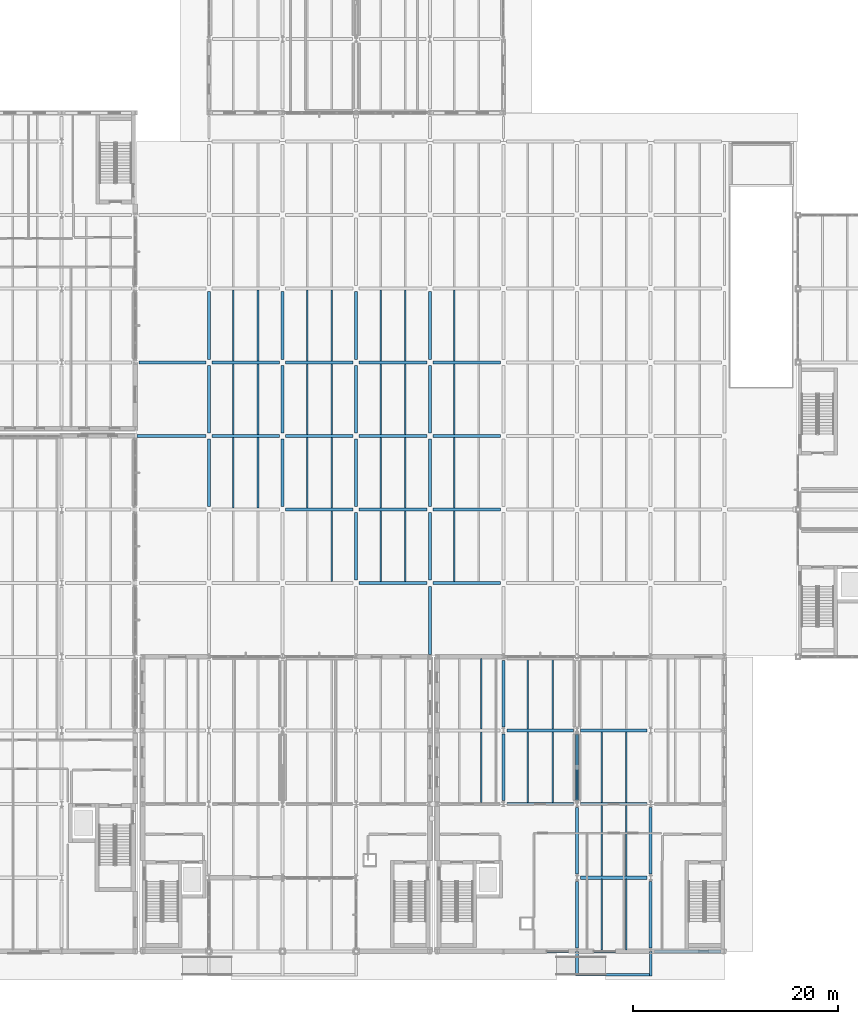
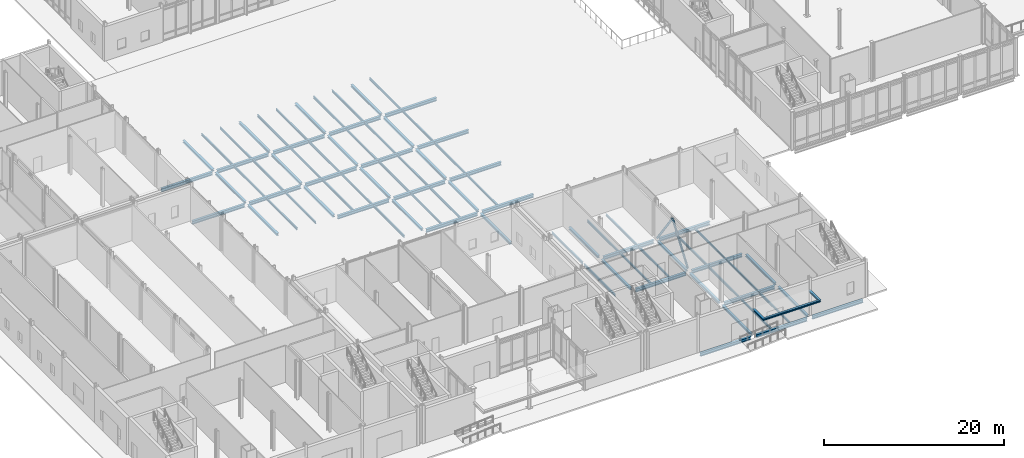
# One storey, part 21 of 89: 85 beams, 2 members.
"""IFC4 building model written with IfcOpenShell, lengths in metres."""

import ifcopenshell
import ifcopenshell.guid

model = None  # the IFC model being written
_history = None  # IfcOwnerHistory: only IFC2X3 demands one
_inside = {}  # id of a spatial element -> (the spatial element, [elements in it])
_under = {}  # id of a project, library or spatial element -> (it, [spatial elements below it])
_declared = {}  # id of a project -> (the project, [libraries it declares])
_typed = {}  # id of a type object -> (the type object, [elements of that type])
_made_of = {}  # id of a material, layer set ... -> (it, [elements and type objects made of it])


def new_model(schema):
    """Start an empty IFC model of exactly this schema.

    Asked for "IFC4X3", IfcOpenShell would pick the latest addendum, in which some entities
    have other attributes; the version numbers below select the first issue.
    IFC2X3 requires an IfcOwnerHistory on every rooted entity: one is made here for all.
    """
    global model, _history
    if schema == "IFC4X3":
        model = ifcopenshell.file(schema_version=(4, 3, 0, 0))
    else:
        model = ifcopenshell.file(schema=schema)
    _inside.clear()
    _under.clear()
    _declared.clear()
    _typed.clear()
    _made_of.clear()
    _history = None
    if model.schema == "IFC2X3":
        org = make("IfcOrganization", Name="unknown")
        user = make(
            "IfcPersonAndOrganization",
            ThePerson=make("IfcPerson", FamilyName="unknown"),
            TheOrganization=org,
        )
        app = make(
            "IfcApplication",
            ApplicationDeveloper=org,
            Version="unknown",
            ApplicationFullName="unknown",
            ApplicationIdentifier="unknown",
        )
        _history = make(
            "IfcOwnerHistory",
            OwningUser=user,
            OwningApplication=app,
            ChangeAction="ADDED",
            CreationDate=0,
        )
    return model


def make(cls, **values):
    """One entity of the class cls with the attributes given. An attribute that is None is left unset."""
    return model.create_entity(
        cls, **{name: value for name, value in values.items() if value is not None}
    )


def rooted(cls, **values):
    """An entity with a GlobalId (a new one), such as an element, a storey or a relation."""
    return make(cls, GlobalId=ifcopenshell.guid.new(), OwnerHistory=_history, **values)


def si_unit(unit_type, name, prefix=None):
    """IfcSIUnit, for example si_unit("LENGTHUNIT", "METRE", prefix="MILLI")."""
    return make("IfcSIUnit", UnitType=unit_type, Prefix=prefix, Name=name)


def assignment(units):
    """IfcUnitAssignment: the units of a project."""
    return None if units is None else make("IfcUnitAssignment", Units=units)


def point(xyz):
    """IfcCartesianPoint."""
    return None if xyz is None else make("IfcCartesianPoint", Coordinates=xyz)


def direction(xyz):
    """IfcDirection."""
    return None if xyz is None else make("IfcDirection", DirectionRatios=xyz)


def frame(location, z_axis=None, x_axis=None):
    """IfcAxis2Placement3D, a coordinate frame: its origin and axes. An axis left out is left unset."""
    return make(
        "IfcAxis2Placement3D",
        Location=point(location),
        Axis=direction(z_axis),
        RefDirection=direction(x_axis),
    )


def frame_2d(location, x_axis=None):
    """IfcAxis2Placement2D, a coordinate frame in the plane: its origin and x axis."""
    return make(
        "IfcAxis2Placement2D", Location=point(location), RefDirection=direction(x_axis)
    )


def origin():
    """The frame at (0, 0, 0) with its axes left unset."""
    return frame((0.0, 0.0, 0.0))


def origin_2d():
    """The frame at (0, 0) in the plane with its x axis left unset."""
    return frame_2d((0.0, 0.0))


def place(relative_to, where):
    """IfcLocalPlacement: puts the frame where relative to a parent placement (None: the world)."""
    return make(
        "IfcLocalPlacement", PlacementRelTo=relative_to, RelativePlacement=where
    )


def context(
    kind, dimensions, precision=None, world=None, true_north=None, identifier=None
):
    """IfcGeometricRepresentationContext, for example the 3D "Model" context."""
    return make(
        "IfcGeometricRepresentationContext",
        ContextIdentifier=identifier,
        ContextType=kind,
        CoordinateSpaceDimension=dimensions,
        Precision=precision,
        WorldCoordinateSystem=world,
        TrueNorth=true_north,
    )


def subcontext(parent, identifier, kind, view, scale=None):
    """IfcGeometricRepresentationSubContext, for example "Body" below "Model"."""
    return make(
        "IfcGeometricRepresentationSubContext",
        ContextIdentifier=identifier,
        ContextType=kind,
        ParentContext=parent,
        TargetScale=scale,
        TargetView=view,
    )


def project(units=None, contexts=None):
    """IfcProject with its units and contexts."""
    return rooted(
        "IfcProject",
        Name="project",
        RepresentationContexts=contexts,
        UnitsInContext=assignment(units),
    )


def spatial(cls, under=None, at=None, **own):
    """A site, building, storey or space (cls), placed at a placement, below another one or the project."""
    s = rooted(cls, ObjectPlacement=at, **own)
    if under is not None:
        _under.setdefault(under.id(), (under, []))[1].append(s)
    return s


def profile(cls, at=None, kind="AREA", **sizes):
    """A parametric profile (cls). Its sizes go by their IFC names, for example OverallWidth=200.0."""
    return make(cls, ProfileType=kind, Position=at, **sizes)


def hollow_circle(**sizes):
    """IfcCircleHollowProfileDef."""
    return profile("IfcCircleHollowProfileDef", **sizes)


def i_section(**sizes):
    """IfcIShapeProfileDef."""
    return profile("IfcIShapeProfileDef", **sizes)


def extrude(swept, where, along, depth):
    """IfcExtrudedAreaSolid: the profile swept, set in the frame where, extruded along a direction by depth."""
    return make(
        "IfcExtrudedAreaSolid",
        SweptArea=swept,
        Position=where,
        ExtrudedDirection=direction(along),
        Depth=depth,
    )


def shape(context_of_items, identifier, shape_type, items):
    """IfcShapeRepresentation: the items that make up one representation, for example the "Body"."""
    return make(
        "IfcShapeRepresentation",
        ContextOfItems=context_of_items,
        RepresentationIdentifier=identifier,
        RepresentationType=shape_type,
        Items=items,
    )


def material(Name=None, Category=None):
    """IfcMaterial."""
    return make("IfcMaterial", Name=Name, Category=Category)


def material_profile(
    of_material, cross_section, Name=None, Category=None, Priority=None
):
    """IfcMaterialProfile: a cross section and its material."""
    return make(
        "IfcMaterialProfile",
        Name=Name,
        Material=of_material,
        Profile=cross_section,
        Priority=Priority,
        Category=Category,
    )


def profile_set(profiles, Name=None, composite=None):
    """IfcMaterialProfileSet."""
    return make(
        "IfcMaterialProfileSet",
        Name=Name,
        MaterialProfiles=profiles,
        CompositeProfile=composite,
    )


def made_of(thing, what):
    """Note that an element or type object is made of a material, layer set ...; save() writes the relation."""
    if what is not None:
        _made_of.setdefault(what.id(), (what, []))[1].append(thing)
    return thing


def type_object(cls, material=None, **own):
    """A type object (cls), such as IfcWallType, which elements share."""
    return made_of(rooted(cls, **own), material)


def element(
    cls,
    number,
    at=None,
    inside=None,
    cuts=None,
    type_object=None,
    material=None,
    context=None,
    identifier="Body",
    shape_type=None,
    held_by="IfcProductDefinitionShape",
    body=None,
    shapes=None,
    **own,
):
    """One element of the class cls, such as IfcWall. Its Tag is "e" and its number.

    at: its placement. inside: the storey or other place that contains it. cuts: it is an
    opening in that element (IfcRelVoidsElement). A single representation is given by context,
    identifier, shape_type and body (its items); several are given by shapes. held_by: the class
    of the entity that holds the representations. save() writes the other relations.
    """
    e = rooted(cls, Tag="e%d" % number, ObjectPlacement=at, **own)
    if body is not None:
        shapes = [shape(context, identifier, shape_type, body)]
    if shapes is not None:
        e.Representation = make(held_by, Representations=shapes)
    if inside is not None:
        _inside.setdefault(inside.id(), (inside, []))[1].append(e)
    if cuts is not None:
        rooted(
            "IfcRelVoidsElement", RelatingBuildingElement=cuts, RelatedOpeningElement=e
        )
    if type_object is not None:
        _typed.setdefault(type_object.id(), (type_object, []))[1].append(e)
    return made_of(e, material)


def aggregate(whole, parts):
    """IfcRelAggregates: a whole, such as a stair, and the parts it consists of."""
    return rooted("IfcRelAggregates", RelatingObject=whole, RelatedObjects=parts)


def save(model, path):
    """Write the relations noted so far, then the file.

    IfcRelAggregates (storeys below a building ...), IfcRelContainedInSpatialStructure (elements
    in a storey), IfcRelDefinesByType, IfcRelAssociatesMaterial and IfcRelDeclares: one each for
    every whole, place, type object, material and project.
    """
    for whole, parts in _under.values():
        aggregate(whole, parts)
    for where, things in _inside.values():
        rooted(
            "IfcRelContainedInSpatialStructure",
            RelatedElements=things,
            RelatingStructure=where,
        )
    for kind, things in _typed.values():
        rooted("IfcRelDefinesByType", RelatedObjects=things, RelatingType=kind)
    for what, things in _made_of.values():
        rooted("IfcRelAssociatesMaterial", RelatedObjects=things, RelatingMaterial=what)
    for by, libraries in _declared.values():
        rooted("IfcRelDeclares", RelatingContext=by, RelatedDefinitions=libraries)
    model.write(path)


model = new_model("IFC4")

# Units and contexts
model_context = context("Model", 3, precision=1e-05, world=origin(), true_north=direction((0.0, 1.0)))
body_context = subcontext(model_context, "Body", "Model", "MODEL_VIEW")
ifc_project = project(units=[si_unit("LENGTHUNIT", "METRE"), si_unit("AREAUNIT", "SQUARE_METRE"), si_unit("VOLUMEUNIT", "CUBIC_METRE"), si_unit("PLANEANGLEUNIT", "RADIAN"), si_unit("MASSUNIT", "GRAM", prefix="KILO")], contexts=[model_context])

# Site, building, storey
site_placement = place(None, origin())
site = spatial("IfcSite", under=ifc_project, at=site_placement, CompositionType="ELEMENT")
building_placement = place(site_placement, origin())
building = spatial("IfcBuilding", under=site, at=building_placement, Name="Zarrinpeak Specialist Clinic", CompositionType="ELEMENT")
storey_placement = place(building_placement, origin())
storey = spatial("IfcBuildingStorey", under=building, at=storey_placement, Name="L00", CompositionType="ELEMENT", Elevation=0.0)

# Beams
ifc_material = material(Name="Steel S355", Category="steel")
ifc_material_profile_1 = material_profile(ifc_material, i_section(OverallWidth=0.260009765625, OverallDepth=0.25, WebThickness=0.007568359375, FlangeThickness=0.012451171875, FilletRadius=0.02392578125, at=origin_2d()), Name="HEA 260")
ifc_profile_set_1 = profile_set([ifc_material_profile_1], Name="Steel S355")
beam_type_1 = type_object("IfcBeamType", Name="BM-HEA260", PredefinedType="BEAM", material=ifc_profile_set_1)
for number, where, z_axis, x_axis, name in (
    (1, (72.0, 0.0, 3.27490234375), (0.0, -1.0, 0.0), (1.0, 0.0, 0.0), "V4 Day Procedure Entrance Canopy Cantilever Bracket Beam 09"),
    (2, (79.199951171875, 0.0, 3.27490234375), (0.0, -1.0, 0.0), (1.0, 0.0, 0.0), "V4 Day Procedure Entrance Canopy Cantilever Bracket Beam 10"),
):
    element("IfcBeam", number, at=place(storey_placement, frame(where, z_axis=z_axis, x_axis=x_axis)), inside=storey, type_object=beam_type_1, Name=name, PredefinedType="BEAM", context=body_context, shape_type="SweptSolid", body=[
        extrude(i_section(OverallWidth=0.260009765625, OverallDepth=0.25, WebThickness=0.007568359375, FlangeThickness=0.012451171875, FilletRadius=0.02392578125, at=origin_2d()), origin(), (0.0, 0.0, 1.0), 2.39990234375),
    ])
beam_1_placement = place(storey_placement, frame((72.1298828125, -2.27001953125, 3.27490234375), z_axis=(1.0, 0.0, 0.0), x_axis=(0.0, 1.0, 0.0)))
element("IfcBeam", 3, at=beam_1_placement, inside=storey, type_object=beam_type_1, Name="V4 Day Procedure Entrance Canopy Front Edge Tie Beam 11", PredefinedType="BEAM", context=body_context, shape_type="SweptSolid", body=[
    extrude(i_section(OverallWidth=0.260009765625, OverallDepth=0.25, WebThickness=0.007568359375, FlangeThickness=0.012451171875, FilletRadius=0.02392578125, at=origin_2d()), origin(), (0.0, 0.0, 1.0), 6.940185546875),
])
ifc_material_profile_2 = material_profile(ifc_material, i_section(OverallWidth=0.300048828125, OverallDepth=0.2900390625, WebThickness=0.008544921875, FlangeThickness=0.013916015625, FilletRadius=0.027099609375, at=origin_2d()), Name="HEA 300")
ifc_profile_set_2 = profile_set([ifc_material_profile_2], Name="Steel S355")
beam_type_2 = type_object("IfcBeamType", Name="BM-HEA300", PredefinedType="BEAM", material=ifc_profile_set_2)
for number, where, z_axis, x_axis, name in (
    (4, (36.0, 43.498046875, -0.364990234375), (0.0, 1.0, 0.0), (-1.0, 0.0, 0.0), "L00 Primary Beam BM-L00-Y0269"),
    (5, (36.0, 50.697998046875, -0.364990234375), (0.0, 1.0, 0.0), (-1.0, 0.0, 0.0), "L00 Primary Beam BM-L00-Y0270"),
    (6, (36.0, 57.89794921875, -0.364990234375), (0.0, 1.0, 0.0), (-1.0, 0.0, 0.0), "L00 Primary Beam BM-L00-Y0271"),
    (7, (43.199951171875, 43.498046875, -0.364990234375), (0.0, 1.0, 0.0), (-1.0, 0.0, 0.0), "L00 Primary Beam BM-L00-Y0284"),
    (8, (43.199951171875, 50.697998046875, -0.364990234375), (0.0, 1.0, 0.0), (-1.0, 0.0, 0.0), "L00 Primary Beam BM-L00-Y0285"),
    (9, (43.199951171875, 57.89794921875, -0.364990234375), (0.0, 1.0, 0.0), (-1.0, 0.0, 0.0), "L00 Primary Beam BM-L00-Y0286"),
    (10, (50.39990234375, 36.298095703125, -0.364990234375), (0.0, 1.0, 0.0), (-1.0, 0.0, 0.0), "L00 Primary Beam BM-L00-Y0300"),
    (11, (50.39990234375, 43.498046875, -0.364990234375), (0.0, 1.0, 0.0), (-1.0, 0.0, 0.0), "L00 Primary Beam BM-L00-Y0301"),
    (12, (50.39990234375, 50.697998046875, -0.364990234375), (0.0, 1.0, 0.0), (-1.0, 0.0, 0.0), "L00 Primary Beam BM-L00-Y0302"),
    (13, (50.39990234375, 57.89794921875, -0.364990234375), (0.0, 1.0, 0.0), (-1.0, 0.0, 0.0), "L00 Primary Beam BM-L00-Y0303"),
):
    element("IfcBeam", number, at=place(storey_placement, frame(where, z_axis=z_axis, x_axis=x_axis)), inside=storey, type_object=beam_type_2, Name=name, PredefinedType="BEAM", context=body_context, shape_type="SweptSolid", body=[
        extrude(i_section(OverallWidth=0.300048828125, OverallDepth=0.2900390625, WebThickness=0.008544921875, FlangeThickness=0.013916015625, FilletRadius=0.027099609375, at=origin_2d()), origin(), (0.0, 0.0, 1.0), 6.60400390625),
    ])
beam_2_placement = place(storey_placement, frame((57.60009765625, 29.048095703125, -0.364990234375), z_axis=(0.0, 1.0, 0.0), x_axis=(-1.0, 0.0, 0.0)))
element("IfcBeam", 14, at=beam_2_placement, inside=storey, type_object=beam_type_2, Name="L00 Primary Beam BM-L00-Y0314", PredefinedType="BEAM", context=body_context, shape_type="SweptSolid", body=[
    extrude(i_section(OverallWidth=0.300048828125, OverallDepth=0.2900390625, WebThickness=0.008544921875, FlangeThickness=0.013916015625, FilletRadius=0.027099609375, at=origin_2d()), origin(), (0.0, 0.0, 1.0), 6.65380859375),
])
for number, where, z_axis, x_axis, name in (
    (15, (57.60009765625, 36.298095703125, -0.364990234375), (0.0, 1.0, 0.0), (-1.0, 0.0, 0.0), "L00 Primary Beam BM-L00-Y0315"),
    (16, (57.60009765625, 43.498046875, -0.364990234375), (0.0, 1.0, 0.0), (-1.0, 0.0, 0.0), "L00 Primary Beam BM-L00-Y0316"),
    (17, (57.60009765625, 50.697998046875, -0.364990234375), (0.0, 1.0, 0.0), (-1.0, 0.0, 0.0), "L00 Primary Beam BM-L00-Y0317"),
    (18, (57.60009765625, 57.89794921875, -0.364990234375), (0.0, 1.0, 0.0), (-1.0, 0.0, 0.0), "L00 Primary Beam BM-L00-Y0318"),
):
    element("IfcBeam", number, at=place(storey_placement, frame(where, z_axis=z_axis, x_axis=x_axis)), inside=storey, type_object=beam_type_2, Name=name, PredefinedType="BEAM", context=body_context, shape_type="SweptSolid", body=[
        extrude(i_section(OverallWidth=0.300048828125, OverallDepth=0.2900390625, WebThickness=0.008544921875, FlangeThickness=0.013916015625, FilletRadius=0.027099609375, at=origin_2d()), origin(), (0.0, 0.0, 1.0), 6.60400390625),
    ])
for number, where, z_axis, x_axis, name in (
    (19, (64.800048828125, 14.748046875, -0.39501953125), (0.0, 1.0, 0.0), (-1.0, 0.0, 0.0), "L00 Primary Beam BM-L00-Y0329"),
    (20, (64.800048828125, 21.947998046875, -0.39501953125), (0.0, 1.0, 0.0), (-1.0, 0.0, 0.0), "L00 Primary Beam BM-L00-Y0330"),
):
    element("IfcBeam", number, at=place(storey_placement, frame(where, z_axis=z_axis, x_axis=x_axis)), inside=storey, type_object=beam_type_2, Name=name, PredefinedType="BEAM", context=body_context, shape_type="SweptSolid", body=[
        extrude(i_section(OverallWidth=0.300048828125, OverallDepth=0.2900390625, WebThickness=0.008544921875, FlangeThickness=0.013916015625, FilletRadius=0.027099609375, at=origin_2d()), origin(), (0.0, 0.0, 1.0), 6.50390625),
    ])
beam_3_placement = place(storey_placement, frame((72.0, 0.347900390625, -0.39501953125), z_axis=(0.0, 1.0, 0.0), x_axis=(-1.0, 0.0, 0.0)))
element("IfcBeam", 21, at=beam_3_placement, inside=storey, type_object=beam_type_2, Name="L00 Primary Beam BM-L00-Y0342", PredefinedType="BEAM", context=body_context, shape_type="SweptSolid", body=[
    extrude(i_section(OverallWidth=0.300048828125, OverallDepth=0.2900390625, WebThickness=0.008544921875, FlangeThickness=0.013916015625, FilletRadius=0.027099609375, at=origin_2d()), origin(), (0.0, 0.0, 1.0), 6.504150390625),
])
for number, where, z_axis, x_axis, name in (
    (22, (72.0, 7.548095703125, -0.39501953125), (0.0, 1.0, 0.0), (-1.0, 0.0, 0.0), "L00 Primary Beam BM-L00-Y0343"),
    (23, (72.0, 14.748046875, -0.39501953125), (0.0, 1.0, 0.0), (-1.0, 0.0, 0.0), "L00 Primary Beam BM-L00-Y0344"),
):
    element("IfcBeam", number, at=place(storey_placement, frame(where, z_axis=z_axis, x_axis=x_axis)), inside=storey, type_object=beam_type_2, Name=name, PredefinedType="BEAM", context=body_context, shape_type="SweptSolid", body=[
        extrude(i_section(OverallWidth=0.300048828125, OverallDepth=0.2900390625, WebThickness=0.008544921875, FlangeThickness=0.013916015625, FilletRadius=0.027099609375, at=origin_2d()), origin(), (0.0, 0.0, 1.0), 6.50390625),
    ])
beam_4_placement = place(storey_placement, frame((79.199951171875, 0.347900390625, -0.39501953125), z_axis=(0.0, 1.0, 0.0), x_axis=(-1.0, 0.0, 0.0)))
element("IfcBeam", 24, at=beam_4_placement, inside=storey, type_object=beam_type_2, Name="L00 Primary Beam BM-L00-Y0353", PredefinedType="BEAM", context=body_context, shape_type="SweptSolid", body=[
    extrude(i_section(OverallWidth=0.300048828125, OverallDepth=0.2900390625, WebThickness=0.008544921875, FlangeThickness=0.013916015625, FilletRadius=0.027099609375, at=origin_2d()), origin(), (0.0, 0.0, 1.0), 6.504150390625),
])
beam_5_placement = place(storey_placement, frame((79.199951171875, 7.548095703125, -0.39501953125), z_axis=(0.0, 1.0, 0.0), x_axis=(-1.0, 0.0, 0.0)))
element("IfcBeam", 25, at=beam_5_placement, inside=storey, type_object=beam_type_2, Name="L00 Primary Beam BM-L00-Y0354", PredefinedType="BEAM", context=body_context, shape_type="SweptSolid", body=[
    extrude(i_section(OverallWidth=0.300048828125, OverallDepth=0.2900390625, WebThickness=0.008544921875, FlangeThickness=0.013916015625, FilletRadius=0.027099609375, at=origin_2d()), origin(), (0.0, 0.0, 1.0), 6.50390625),
])
ifc_material_profile_3 = material_profile(ifc_material, i_section(OverallWidth=0.300048828125, OverallDepth=0.43994140625, WebThickness=0.011474609375, FlangeThickness=0.02099609375, FilletRadius=0.027099609375, at=origin_2d()), Name="HEA 450")
ifc_profile_set_3 = profile_set([ifc_material_profile_3], Name="Steel S355")
beam_type_3 = type_object("IfcBeamType", Name="BM-HEA450", PredefinedType="BEAM", material=ifc_profile_set_3)
for number, where, z_axis, x_axis, name in (
    (26, (65.14794921875, 0.0, -0.469970703125), (1.0, 0.0, 0.0), (0.0, 1.0, 0.0), "L00 Primary Floor Girder BM-L00-X0010"),
    (27, (72.347900390625, 0.0, -0.469970703125), (1.0, 0.0, 0.0), (0.0, 1.0, 0.0), "L00 Primary Floor Girder BM-L00-X0011"),
):
    element("IfcBeam", number, at=place(storey_placement, frame(where, z_axis=z_axis, x_axis=x_axis)), inside=storey, type_object=beam_type_3, Name=name, PredefinedType="BEAM", context=body_context, shape_type="SweptSolid", body=[
        extrude(i_section(OverallWidth=0.300048828125, OverallDepth=0.43994140625, WebThickness=0.011474609375, FlangeThickness=0.02099609375, FilletRadius=0.027099609375, at=origin_2d()), origin(), (0.0, 0.0, 1.0), 6.504150390625),
    ])
beam_6_placement = place(storey_placement, frame((79.548095703125, 0.0, -0.469970703125), z_axis=(1.0, 0.0, 0.0), x_axis=(0.0, 1.0, 0.0)))
element("IfcBeam", 28, at=beam_6_placement, inside=storey, type_object=beam_type_3, Name="L00 Primary Floor Girder BM-L00-X0012", PredefinedType="BEAM", context=body_context, shape_type="SweptSolid", body=[
    extrude(i_section(OverallWidth=0.300048828125, OverallDepth=0.43994140625, WebThickness=0.011474609375, FlangeThickness=0.02099609375, FilletRadius=0.027099609375, at=origin_2d()), origin(), (0.0, 0.0, 1.0), 6.50390625),
])
for number, where, z_axis, x_axis, name in (
    (29, (72.347900390625, 7.199951171875, -0.469970703125), (1.0, 0.0, 0.0), (0.0, 1.0, 0.0), "L00 Primary Floor Girder BM-L00-X0017"),
    (30, (65.14794921875, 14.39990234375, -0.469970703125), (1.0, 0.0, 0.0), (0.0, 1.0, 0.0), "L00 Primary Floor Girder BM-L00-X0025"),
    (31, (72.347900390625, 14.39990234375, -0.469970703125), (1.0, 0.0, 0.0), (0.0, 1.0, 0.0), "L00 Primary Floor Girder BM-L00-X0026"),
    (32, (65.14794921875, 21.60009765625, -0.469970703125), (1.0, 0.0, 0.0), (0.0, 1.0, 0.0), "L00 Primary Floor Girder BM-L00-X0037"),
    (33, (72.347900390625, 21.60009765625, -0.469970703125), (1.0, 0.0, 0.0), (0.0, 1.0, 0.0), "L00 Primary Floor Girder BM-L00-X0038"),
):
    element("IfcBeam", number, at=place(storey_placement, frame(where, z_axis=z_axis, x_axis=x_axis)), inside=storey, type_object=beam_type_3, Name=name, PredefinedType="BEAM", context=body_context, shape_type="SweptSolid", body=[
        extrude(i_section(OverallWidth=0.300048828125, OverallDepth=0.43994140625, WebThickness=0.011474609375, FlangeThickness=0.02099609375, FilletRadius=0.027099609375, at=origin_2d()), origin(), (0.0, 0.0, 1.0), 6.504150390625),
    ])
for number, where, z_axis, x_axis, name in (
    (34, (50.697998046875, 36.0, -0.43994140625), (1.0, 0.0, 0.0), (0.0, 1.0, 0.0), "L00 Primary Floor Girder BM-L00-X0063"),
    (35, (57.89794921875, 36.0, -0.43994140625), (1.0, 0.0, 0.0), (0.0, 1.0, 0.0), "L00 Primary Floor Girder BM-L00-X0064"),
    (36, (43.498046875, 43.199951171875, -0.43994140625), (1.0, 0.0, 0.0), (0.0, 1.0, 0.0), "L00 Primary Floor Girder BM-L00-X0084"),
    (37, (50.697998046875, 43.199951171875, -0.43994140625), (1.0, 0.0, 0.0), (0.0, 1.0, 0.0), "L00 Primary Floor Girder BM-L00-X0085"),
    (38, (57.89794921875, 43.199951171875, -0.43994140625), (1.0, 0.0, 0.0), (0.0, 1.0, 0.0), "L00 Primary Floor Girder BM-L00-X0086"),
):
    element("IfcBeam", number, at=place(storey_placement, frame(where, z_axis=z_axis, x_axis=x_axis)), inside=storey, type_object=beam_type_3, Name=name, PredefinedType="BEAM", context=body_context, shape_type="SweptSolid", body=[
        extrude(i_section(OverallWidth=0.300048828125, OverallDepth=0.43994140625, WebThickness=0.011474609375, FlangeThickness=0.02099609375, FilletRadius=0.027099609375, at=origin_2d()), origin(), (0.0, 0.0, 1.0), 6.60400390625),
    ])
beam_7_placement = place(storey_placement, frame((28.947998046875, 50.39990234375, -0.43994140625), z_axis=(1.0, 0.0, 0.0), x_axis=(0.0, 1.0, 0.0)))
element("IfcBeam", 39, at=beam_7_placement, inside=storey, type_object=beam_type_3, Name="L00 Primary Floor Girder BM-L00-X0106", PredefinedType="BEAM", context=body_context, shape_type="SweptSolid", body=[
    extrude(i_section(OverallWidth=0.300048828125, OverallDepth=0.43994140625, WebThickness=0.011474609375, FlangeThickness=0.02099609375, FilletRadius=0.027099609375, at=origin_2d()), origin(), (0.0, 0.0, 1.0), 6.75390625),
])
for number, where, z_axis, x_axis, name in (
    (40, (36.298095703125, 50.39990234375, -0.43994140625), (1.0, 0.0, 0.0), (0.0, 1.0, 0.0), "L00 Primary Floor Girder BM-L00-X0107"),
    (41, (43.498046875, 50.39990234375, -0.43994140625), (1.0, 0.0, 0.0), (0.0, 1.0, 0.0), "L00 Primary Floor Girder BM-L00-X0108"),
    (42, (50.697998046875, 50.39990234375, -0.43994140625), (1.0, 0.0, 0.0), (0.0, 1.0, 0.0), "L00 Primary Floor Girder BM-L00-X0109"),
    (43, (57.89794921875, 50.39990234375, -0.43994140625), (1.0, 0.0, 0.0), (0.0, 1.0, 0.0), "L00 Primary Floor Girder BM-L00-X0110"),
):
    element("IfcBeam", number, at=place(storey_placement, frame(where, z_axis=z_axis, x_axis=x_axis)), inside=storey, type_object=beam_type_3, Name=name, PredefinedType="BEAM", context=body_context, shape_type="SweptSolid", body=[
        extrude(i_section(OverallWidth=0.300048828125, OverallDepth=0.43994140625, WebThickness=0.011474609375, FlangeThickness=0.02099609375, FilletRadius=0.027099609375, at=origin_2d()), origin(), (0.0, 0.0, 1.0), 6.60400390625),
    ])
beam_8_placement = place(storey_placement, frame((29.14794921875, 57.60009765625, -0.43994140625), z_axis=(1.0, 0.0, 0.0), x_axis=(0.0, 1.0, 0.0)))
element("IfcBeam", 44, at=beam_8_placement, inside=storey, type_object=beam_type_3, Name="L00 Primary Floor Girder BM-L00-X0132", PredefinedType="BEAM", context=body_context, shape_type="SweptSolid", body=[
    extrude(i_section(OverallWidth=0.300048828125, OverallDepth=0.43994140625, WebThickness=0.011474609375, FlangeThickness=0.02099609375, FilletRadius=0.027099609375, at=origin_2d()), origin(), (0.0, 0.0, 1.0), 6.553955078125),
])
for number, where, z_axis, x_axis, name in (
    (45, (36.298095703125, 57.60009765625, -0.43994140625), (1.0, 0.0, 0.0), (0.0, 1.0, 0.0), "L00 Primary Floor Girder BM-L00-X0133"),
    (46, (43.498046875, 57.60009765625, -0.43994140625), (1.0, 0.0, 0.0), (0.0, 1.0, 0.0), "L00 Primary Floor Girder BM-L00-X0134"),
    (47, (50.697998046875, 57.60009765625, -0.43994140625), (1.0, 0.0, 0.0), (0.0, 1.0, 0.0), "L00 Primary Floor Girder BM-L00-X0135"),
    (48, (57.89794921875, 57.60009765625, -0.43994140625), (1.0, 0.0, 0.0), (0.0, 1.0, 0.0), "L00 Primary Floor Girder BM-L00-X0136"),
):
    element("IfcBeam", number, at=place(storey_placement, frame(where, z_axis=z_axis, x_axis=x_axis)), inside=storey, type_object=beam_type_3, Name=name, PredefinedType="BEAM", context=body_context, shape_type="SweptSolid", body=[
        extrude(i_section(OverallWidth=0.300048828125, OverallDepth=0.43994140625, WebThickness=0.011474609375, FlangeThickness=0.02099609375, FilletRadius=0.027099609375, at=origin_2d()), origin(), (0.0, 0.0, 1.0), 6.60400390625),
    ])
ifc_material_profile_4 = material_profile(ifc_material, i_section(OverallWidth=0.14990234375, OverallDepth=0.300048828125, WebThickness=0.007080078125, FlangeThickness=0.0107421875, FilletRadius=0.014892578125, at=origin_2d()), Name="IPE 300")
ifc_profile_set_4 = profile_set([ifc_material_profile_4], Name="Steel S355")
beam_type_4 = type_object("IfcBeamType", Name="BM-JST300", PredefinedType="JOIST", material=ifc_profile_set_4)
beam_9_placement = place(storey_placement, frame((62.639892578125, 14.548095703125, -0.39990234375), z_axis=(0.0, 1.0, 0.0), x_axis=(-1.0, 0.0, 0.0)))
element("IfcBeam", 49, at=beam_9_placement, inside=storey, type_object=beam_type_4, Name="L00 Composite Floor Joist JST-L00-0482", PredefinedType="JOIST", context=body_context, shape_type="SweptSolid", body=[
    extrude(i_section(OverallWidth=0.14990234375, OverallDepth=0.300048828125, WebThickness=0.007080078125, FlangeThickness=0.0107421875, FilletRadius=0.014892578125, at=origin_2d()), origin(), (0.0, 0.0, 1.0), 6.90380859375),
])
beam_10_placement = place(storey_placement, frame((62.639892578125, 21.748046875, -0.39990234375), z_axis=(0.0, 1.0, 0.0), x_axis=(-1.0, 0.0, 0.0)))
element("IfcBeam", 50, at=beam_10_placement, inside=storey, type_object=beam_type_4, Name="L00 Composite Floor Joist JST-L00-0484", PredefinedType="JOIST", context=body_context, shape_type="SweptSolid", body=[
    extrude(i_section(OverallWidth=0.14990234375, OverallDepth=0.300048828125, WebThickness=0.007080078125, FlangeThickness=0.0107421875, FilletRadius=0.014892578125, at=origin_2d()), origin(), (0.0, 0.0, 1.0), 6.904052734375),
])
for number, where, z_axis, x_axis, name in (
    (51, (67.199951171875, 14.548095703125, -0.39990234375), (0.0, 1.0, 0.0), (-1.0, 0.0, 0.0), "L00 Composite Floor Joist JST-L00-0485"),
    (52, (69.60009765625, 14.548095703125, -0.39990234375), (0.0, 1.0, 0.0), (-1.0, 0.0, 0.0), "L00 Composite Floor Joist JST-L00-0486"),
):
    element("IfcBeam", number, at=place(storey_placement, frame(where, z_axis=z_axis, x_axis=x_axis)), inside=storey, type_object=beam_type_4, Name=name, PredefinedType="JOIST", context=body_context, shape_type="SweptSolid", body=[
        extrude(i_section(OverallWidth=0.14990234375, OverallDepth=0.300048828125, WebThickness=0.007080078125, FlangeThickness=0.0107421875, FilletRadius=0.014892578125, at=origin_2d()), origin(), (0.0, 0.0, 1.0), 6.90380859375),
    ])
for number, where, z_axis, x_axis, name in (
    (53, (67.199951171875, 21.748046875, -0.39990234375), (0.0, 1.0, 0.0), (-1.0, 0.0, 0.0), "L00 Composite Floor Joist JST-L00-0487"),
    (54, (69.60009765625, 21.748046875, -0.39990234375), (0.0, 1.0, 0.0), (-1.0, 0.0, 0.0), "L00 Composite Floor Joist JST-L00-0488"),
    (55, (74.39990234375, 0.14794921875, -0.39990234375), (0.0, 1.0, 0.0), (-1.0, 0.0, 0.0), "L00 Composite Floor Joist JST-L00-0489"),
    (56, (76.800048828125, 0.14794921875, -0.39990234375), (0.0, 1.0, 0.0), (-1.0, 0.0, 0.0), "L00 Composite Floor Joist JST-L00-0490"),
    (57, (74.39990234375, 7.347900390625, -0.39990234375), (0.0, 1.0, 0.0), (-1.0, 0.0, 0.0), "L00 Composite Floor Joist JST-L00-0491"),
    (58, (76.800048828125, 7.347900390625, -0.39990234375), (0.0, 1.0, 0.0), (-1.0, 0.0, 0.0), "L00 Composite Floor Joist JST-L00-0492"),
):
    element("IfcBeam", number, at=place(storey_placement, frame(where, z_axis=z_axis, x_axis=x_axis)), inside=storey, type_object=beam_type_4, Name=name, PredefinedType="JOIST", context=body_context, shape_type="SweptSolid", body=[
        extrude(i_section(OverallWidth=0.14990234375, OverallDepth=0.300048828125, WebThickness=0.007080078125, FlangeThickness=0.0107421875, FilletRadius=0.014892578125, at=origin_2d()), origin(), (0.0, 0.0, 1.0), 6.904052734375),
    ])
for number, where, z_axis, x_axis, name in (
    (59, (74.39990234375, 14.548095703125, -0.39990234375), (0.0, 1.0, 0.0), (-1.0, 0.0, 0.0), "L00 Composite Floor Joist JST-L00-0493"),
    (60, (76.800048828125, 14.548095703125, -0.39990234375), (0.0, 1.0, 0.0), (-1.0, 0.0, 0.0), "L00 Composite Floor Joist JST-L00-0494"),
):
    element("IfcBeam", number, at=place(storey_placement, frame(where, z_axis=z_axis, x_axis=x_axis)), inside=storey, type_object=beam_type_4, Name=name, PredefinedType="JOIST", context=body_context, shape_type="SweptSolid", body=[
        extrude(i_section(OverallWidth=0.14990234375, OverallDepth=0.300048828125, WebThickness=0.007080078125, FlangeThickness=0.0107421875, FilletRadius=0.014892578125, at=origin_2d()), origin(), (0.0, 0.0, 1.0), 6.90380859375),
    ])
for number, where, z_axis, x_axis, name in (
    (61, (38.39990234375, 43.347900390625, -0.3701171875), (0.0, 1.0, 0.0), (-1.0, 0.0, 0.0), "L00 Composite Floor Joist JST-L00-0606"),
    (62, (40.800048828125, 43.347900390625, -0.3701171875), (0.0, 1.0, 0.0), (-1.0, 0.0, 0.0), "L00 Composite Floor Joist JST-L00-0607"),
):
    element("IfcBeam", number, at=place(storey_placement, frame(where, z_axis=z_axis, x_axis=x_axis)), inside=storey, type_object=beam_type_4, Name=name, PredefinedType="JOIST", context=body_context, shape_type="SweptSolid", body=[
        extrude(i_section(OverallWidth=0.14990234375, OverallDepth=0.300048828125, WebThickness=0.007080078125, FlangeThickness=0.0107421875, FilletRadius=0.014892578125, at=origin_2d()), origin(), (0.0, 0.0, 1.0), 6.904052734375),
    ])
for number, where, z_axis, x_axis, name in (
    (63, (38.39990234375, 50.548095703125, -0.3701171875), (0.0, 1.0, 0.0), (-1.0, 0.0, 0.0), "L00 Composite Floor Joist JST-L00-0608"),
    (64, (40.800048828125, 50.548095703125, -0.3701171875), (0.0, 1.0, 0.0), (-1.0, 0.0, 0.0), "L00 Composite Floor Joist JST-L00-0609"),
):
    element("IfcBeam", number, at=place(storey_placement, frame(where, z_axis=z_axis, x_axis=x_axis)), inside=storey, type_object=beam_type_4, Name=name, PredefinedType="JOIST", context=body_context, shape_type="SweptSolid", body=[
        extrude(i_section(OverallWidth=0.14990234375, OverallDepth=0.300048828125, WebThickness=0.007080078125, FlangeThickness=0.0107421875, FilletRadius=0.014892578125, at=origin_2d()), origin(), (0.0, 0.0, 1.0), 6.90380859375),
    ])
for number, where, z_axis, x_axis, name in (
    (65, (38.39990234375, 57.748046875, -0.3701171875), (0.0, 1.0, 0.0), (-1.0, 0.0, 0.0), "L00 Composite Floor Joist JST-L00-0610"),
    (66, (40.800048828125, 57.748046875, -0.3701171875), (0.0, 1.0, 0.0), (-1.0, 0.0, 0.0), "L00 Composite Floor Joist JST-L00-0611"),
    (67, (48.0, 36.14794921875, -0.3701171875), (0.0, 1.0, 0.0), (-1.0, 0.0, 0.0), "L00 Composite Floor Joist JST-L00-0617"),
    (68, (45.60009765625, 43.347900390625, -0.3701171875), (0.0, 1.0, 0.0), (-1.0, 0.0, 0.0), "L00 Composite Floor Joist JST-L00-0618"),
    (69, (48.0, 43.347900390625, -0.3701171875), (0.0, 1.0, 0.0), (-1.0, 0.0, 0.0), "L00 Composite Floor Joist JST-L00-0619"),
):
    element("IfcBeam", number, at=place(storey_placement, frame(where, z_axis=z_axis, x_axis=x_axis)), inside=storey, type_object=beam_type_4, Name=name, PredefinedType="JOIST", context=body_context, shape_type="SweptSolid", body=[
        extrude(i_section(OverallWidth=0.14990234375, OverallDepth=0.300048828125, WebThickness=0.007080078125, FlangeThickness=0.0107421875, FilletRadius=0.014892578125, at=origin_2d()), origin(), (0.0, 0.0, 1.0), 6.904052734375),
    ])
for number, where, z_axis, x_axis, name in (
    (70, (45.60009765625, 50.548095703125, -0.3701171875), (0.0, 1.0, 0.0), (-1.0, 0.0, 0.0), "L00 Composite Floor Joist JST-L00-0620"),
    (71, (48.0, 50.548095703125, -0.3701171875), (0.0, 1.0, 0.0), (-1.0, 0.0, 0.0), "L00 Composite Floor Joist JST-L00-0621"),
):
    element("IfcBeam", number, at=place(storey_placement, frame(where, z_axis=z_axis, x_axis=x_axis)), inside=storey, type_object=beam_type_4, Name=name, PredefinedType="JOIST", context=body_context, shape_type="SweptSolid", body=[
        extrude(i_section(OverallWidth=0.14990234375, OverallDepth=0.300048828125, WebThickness=0.007080078125, FlangeThickness=0.0107421875, FilletRadius=0.014892578125, at=origin_2d()), origin(), (0.0, 0.0, 1.0), 6.90380859375),
    ])
for number, where, z_axis, x_axis, name in (
    (72, (45.60009765625, 57.748046875, -0.3701171875), (0.0, 1.0, 0.0), (-1.0, 0.0, 0.0), "L00 Composite Floor Joist JST-L00-0622"),
    (73, (48.0, 57.748046875, -0.3701171875), (0.0, 1.0, 0.0), (-1.0, 0.0, 0.0), "L00 Composite Floor Joist JST-L00-0623"),
    (74, (52.800048828125, 36.14794921875, -0.3701171875), (0.0, 1.0, 0.0), (-1.0, 0.0, 0.0), "L00 Composite Floor Joist JST-L00-0628"),
    (75, (55.199951171875, 36.14794921875, -0.3701171875), (0.0, 1.0, 0.0), (-1.0, 0.0, 0.0), "L00 Composite Floor Joist JST-L00-0629"),
    (76, (52.800048828125, 43.347900390625, -0.3701171875), (0.0, 1.0, 0.0), (-1.0, 0.0, 0.0), "L00 Composite Floor Joist JST-L00-0630"),
    (77, (55.199951171875, 43.347900390625, -0.3701171875), (0.0, 1.0, 0.0), (-1.0, 0.0, 0.0), "L00 Composite Floor Joist JST-L00-0631"),
):
    element("IfcBeam", number, at=place(storey_placement, frame(where, z_axis=z_axis, x_axis=x_axis)), inside=storey, type_object=beam_type_4, Name=name, PredefinedType="JOIST", context=body_context, shape_type="SweptSolid", body=[
        extrude(i_section(OverallWidth=0.14990234375, OverallDepth=0.300048828125, WebThickness=0.007080078125, FlangeThickness=0.0107421875, FilletRadius=0.014892578125, at=origin_2d()), origin(), (0.0, 0.0, 1.0), 6.904052734375),
    ])
for number, where, z_axis, x_axis, name in (
    (78, (52.800048828125, 50.548095703125, -0.3701171875), (0.0, 1.0, 0.0), (-1.0, 0.0, 0.0), "L00 Composite Floor Joist JST-L00-0632"),
    (79, (55.199951171875, 50.548095703125, -0.3701171875), (0.0, 1.0, 0.0), (-1.0, 0.0, 0.0), "L00 Composite Floor Joist JST-L00-0633"),
):
    element("IfcBeam", number, at=place(storey_placement, frame(where, z_axis=z_axis, x_axis=x_axis)), inside=storey, type_object=beam_type_4, Name=name, PredefinedType="JOIST", context=body_context, shape_type="SweptSolid", body=[
        extrude(i_section(OverallWidth=0.14990234375, OverallDepth=0.300048828125, WebThickness=0.007080078125, FlangeThickness=0.0107421875, FilletRadius=0.014892578125, at=origin_2d()), origin(), (0.0, 0.0, 1.0), 6.90380859375),
    ])
for number, where, z_axis, x_axis, name in (
    (80, (52.800048828125, 57.748046875, -0.3701171875), (0.0, 1.0, 0.0), (-1.0, 0.0, 0.0), "L00 Composite Floor Joist JST-L00-0634"),
    (81, (55.199951171875, 57.748046875, -0.3701171875), (0.0, 1.0, 0.0), (-1.0, 0.0, 0.0), "L00 Composite Floor Joist JST-L00-0635"),
    (82, (60.0, 36.14794921875, -0.3701171875), (0.0, 1.0, 0.0), (-1.0, 0.0, 0.0), "L00 Composite Floor Joist JST-L00-0640"),
    (83, (60.0, 43.347900390625, -0.3701171875), (0.0, 1.0, 0.0), (-1.0, 0.0, 0.0), "L00 Composite Floor Joist JST-L00-0642"),
):
    element("IfcBeam", number, at=place(storey_placement, frame(where, z_axis=z_axis, x_axis=x_axis)), inside=storey, type_object=beam_type_4, Name=name, PredefinedType="JOIST", context=body_context, shape_type="SweptSolid", body=[
        extrude(i_section(OverallWidth=0.14990234375, OverallDepth=0.300048828125, WebThickness=0.007080078125, FlangeThickness=0.0107421875, FilletRadius=0.014892578125, at=origin_2d()), origin(), (0.0, 0.0, 1.0), 6.904052734375),
    ])
beam_11_placement = place(storey_placement, frame((60.0, 50.548095703125, -0.3701171875), z_axis=(0.0, 1.0, 0.0), x_axis=(-1.0, 0.0, 0.0)))
element("IfcBeam", 84, at=beam_11_placement, inside=storey, type_object=beam_type_4, Name="L00 Composite Floor Joist JST-L00-0644", PredefinedType="JOIST", context=body_context, shape_type="SweptSolid", body=[
    extrude(i_section(OverallWidth=0.14990234375, OverallDepth=0.300048828125, WebThickness=0.007080078125, FlangeThickness=0.0107421875, FilletRadius=0.014892578125, at=origin_2d()), origin(), (0.0, 0.0, 1.0), 6.90380859375),
])
beam_12_placement = place(storey_placement, frame((60.0, 57.748046875, -0.3701171875), z_axis=(0.0, 1.0, 0.0), x_axis=(-1.0, 0.0, 0.0)))
element("IfcBeam", 85, at=beam_12_placement, inside=storey, type_object=beam_type_4, Name="L00 Composite Floor Joist JST-L00-0646", PredefinedType="JOIST", context=body_context, shape_type="SweptSolid", body=[
    extrude(i_section(OverallWidth=0.14990234375, OverallDepth=0.300048828125, WebThickness=0.007080078125, FlangeThickness=0.0107421875, FilletRadius=0.014892578125, at=origin_2d()), origin(), (0.0, 0.0, 1.0), 6.904052734375),
])

# Members
ifc_material_profile_5 = material_profile(ifc_material, hollow_circle(Radius=0.136474609375, WallThickness=0.012451171875, at=origin_2d()), Name="CHS 273.0x12.5")
ifc_profile_set_5 = profile_set([ifc_material_profile_5], Name="Steel S355")
member_type = type_object("IfcMemberType", Name="MB-BR273", PredefinedType="BRACE", material=ifc_profile_set_5)
for number, where, z_axis, x_axis, name in (
    (86, (72.0, 14.625, 0.0048828125), (0.0, 0.585328218898, 0.810796445578), (-1.0, 0.0, 0.0), "V4 L00 Seismic Concentric Brace CBF-025"),
    (87, (72.0, 21.375, 0.0048828125), (0.0, -0.585328218898, 0.810796445578), (1.0, 0.0, 0.0), "V4 L00 Seismic Concentric Brace CBF-026"),
):
    element("IfcMember", number, at=place(storey_placement, frame(where, z_axis=z_axis, x_axis=x_axis)), inside=storey, type_object=member_type, Name=name, PredefinedType="BRACE", context=body_context, shape_type="SweptSolid", body=[
        extrude(hollow_circle(Radius=0.136474609375, WallThickness=0.012451171875, at=origin_2d()), origin(), (0.0, 0.0, 1.0), 5.76611328125),
    ])

save(model, "model.ifc")
